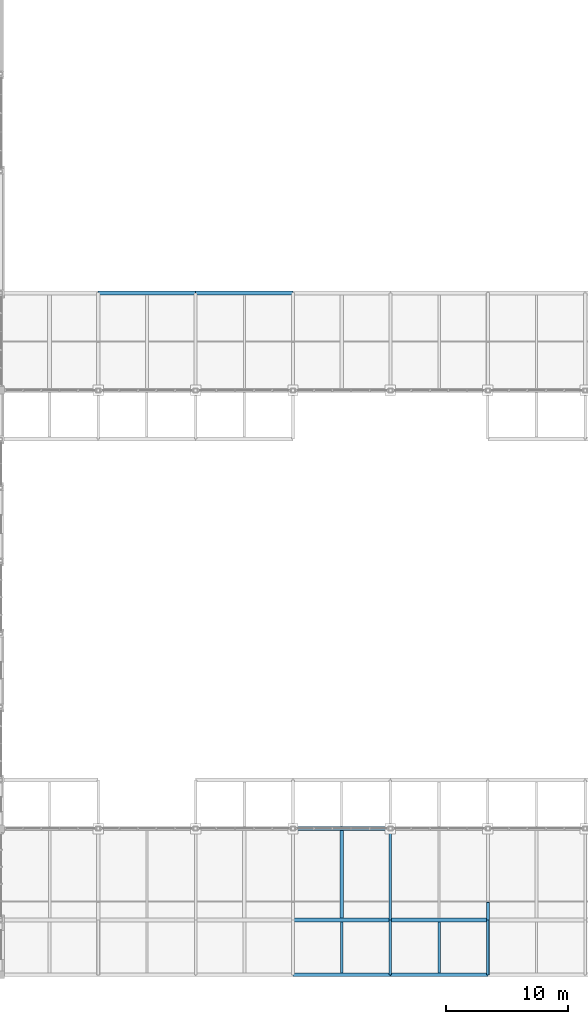
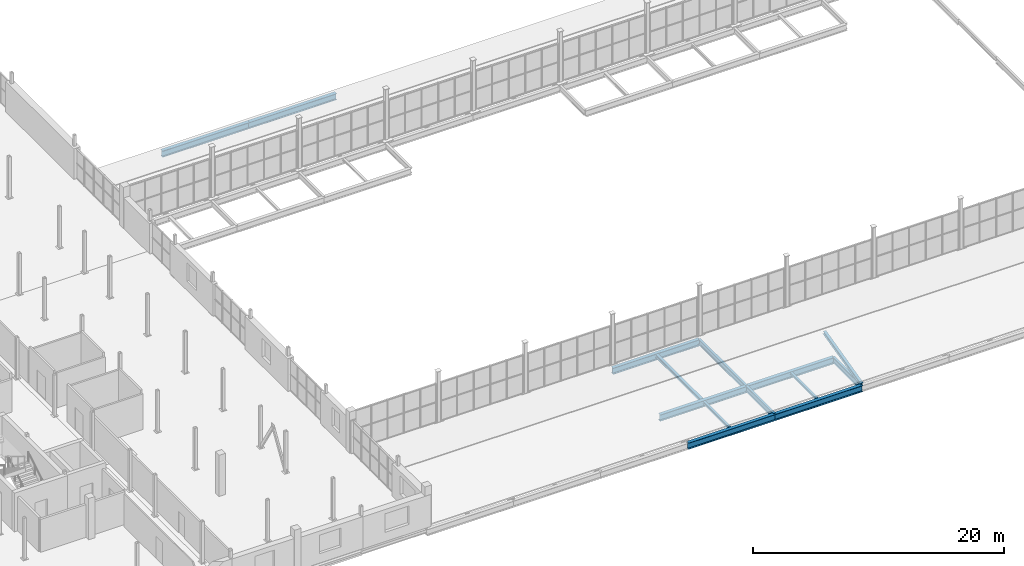
# One storey, part 37 of 96: 13 beams, 1 member.
"""IFC4 building model written with IfcOpenShell, lengths in metres."""

from ifc_helpers import new_model, si_unit, direction, frame, origin, origin_2d, place, context, subcontext, project, spatial, i_section, extrude, material, material_profile, profile_set, type_object, element, save


model = new_model("IFC4")

# Units and contexts
model_context = context("Model", 3, precision=1e-05, world=origin(), true_north=direction((0.0, 1.0)))
body_context = subcontext(model_context, "Body", "Model", "MODEL_VIEW")
ifc_project = project(units=[si_unit("LENGTHUNIT", "METRE"), si_unit("AREAUNIT", "SQUARE_METRE"), si_unit("VOLUMEUNIT", "CUBIC_METRE"), si_unit("PLANEANGLEUNIT", "RADIAN"), si_unit("MASSUNIT", "GRAM", prefix="KILO")], contexts=[model_context])

# Site, building, storey
site_placement = place(None, origin())
site = spatial("IfcSite", under=ifc_project, at=site_placement, CompositionType="ELEMENT")
building_placement = place(site_placement, origin())
building = spatial("IfcBuilding", under=site, at=building_placement, Name="Verrall Gate Interchange", CompositionType="ELEMENT")
storey_placement = place(building_placement, frame((0.0, 0.0, 11.39990234375)))
storey = spatial("IfcBuildingStorey", under=building, at=storey_placement, Name="L03", CompositionType="ELEMENT", Elevation=11.39990234375)

# Beams
ifc_material_1 = material(Name="Structural Steel CSA G40.21 350WT Cat 4", Category="steel")
ifc_material_profile_1 = material_profile(ifc_material_1, i_section(OverallWidth=0.323974609375, OverallDepth=0.611083984375, WebThickness=0.0126953125, FlangeThickness=0.01904296875, FilletRadius=0.014892578125, at=origin_2d()), Name="W610x155")
ifc_profile_set_1 = profile_set([ifc_material_profile_1], Name="Structural Steel CSA G40.21 350WT Cat 4")
beam_type_1 = type_object("IfcBeamType", Name="B-08 Structural Beam W610x155", PredefinedType="BEAM", material=ifc_profile_set_1)
for number, where, z_axis, x_axis, name in (
    (1, (60.0, 0.0, -0.635498046875), (1.0, 0.0, 0.0), (0.0, 1.0, 0.0), "L03 Girder BM-L03-1984 (B-08)"),
    (2, (68.0, 0.0, -0.635498046875), (1.0, 0.0, 0.0), (0.0, 1.0, 0.0), "L03 Girder BM-L03-1985 (B-08)"),
    (3, (60.0, 4.5, -0.635498046875), (1.0, 0.0, 0.0), (0.0, 1.0, 0.0), "L03 Girder BM-L03-2000 (B-08)"),
    (4, (68.0, 4.5, -0.635498046875), (1.0, 0.0, 0.0), (0.0, 1.0, 0.0), "L03 Girder BM-L03-2001 (B-08)"),
    (5, (60.0, 12.0, -0.635498046875), (1.0, 0.0, 0.0), (0.0, 1.0, 0.0), "L03 Girder BM-L03-2015 (B-08)"),
    (6, (44.0, 56.0, -0.635498046875), (1.0, 0.0, 0.0), (0.0, 1.0, 0.0), "L03 Girder BM-L03-2133 (B-08)"),
    (7, (52.0, 56.0, -0.635498046875), (1.0, 0.0, 0.0), (0.0, 1.0, 0.0), "L03 Girder BM-L03-2134 (B-08)"),
):
    element("IfcBeam", number, at=place(storey_placement, frame(where, z_axis=z_axis, x_axis=x_axis)), inside=storey, type_object=beam_type_1, Name=name, PredefinedType="BEAM", context=body_context, shape_type="SweptSolid", body=[
        extrude(i_section(OverallWidth=0.323974609375, OverallDepth=0.611083984375, WebThickness=0.0126953125, FlangeThickness=0.01904296875, FilletRadius=0.014892578125, at=origin_2d()), origin(), (0.0, 0.0, 1.0), 8.0),
    ])
ifc_material_2 = material(Name="Structural Steel CSA G40.21 350W", Category="steel")
ifc_material_profile_2 = material_profile(ifc_material_2, i_section(OverallWidth=0.2109375, OverallDepth=0.5390625, WebThickness=0.01171875, FlangeThickness=0.018798828125, FilletRadius=0.013916015625, at=origin_2d()), Name="W530x109")
ifc_profile_set_2 = profile_set([ifc_material_profile_2], Name="Structural Steel CSA G40.21 350W")
beam_type_2 = type_object("IfcBeamType", Name="B-10 Structural Beam W530x109", PredefinedType="BEAM", material=ifc_profile_set_2)
beam_1_placement = place(storey_placement, frame((68.0, 0.0, -0.599365234375), z_axis=(0.0, 1.0, 0.0), x_axis=(-1.0, 0.0, 0.0)))
element("IfcBeam", 8, at=beam_1_placement, inside=storey, type_object=beam_type_2, Name="L03 Girder BM-L03-2287 (B-10)", PredefinedType="BEAM", context=body_context, shape_type="SweptSolid", body=[
    extrude(i_section(OverallWidth=0.2109375, OverallDepth=0.5390625, WebThickness=0.01171875, FlangeThickness=0.018798828125, FilletRadius=0.013916015625, at=origin_2d()), origin(), (0.0, 0.0, 1.0), 4.5),
])
beam_2_placement = place(storey_placement, frame((68.0, 4.5, -0.599365234375), z_axis=(0.0, 1.0, 0.0), x_axis=(-1.0, 0.0, 0.0)))
element("IfcBeam", 9, at=beam_2_placement, inside=storey, type_object=beam_type_2, Name="L03 Girder BM-L03-2288 (B-10)", PredefinedType="BEAM", context=body_context, shape_type="SweptSolid", body=[
    extrude(i_section(OverallWidth=0.2109375, OverallDepth=0.5390625, WebThickness=0.01171875, FlangeThickness=0.018798828125, FilletRadius=0.013916015625, at=origin_2d()), origin(), (0.0, 0.0, 1.0), 7.5),
])
beam_3_placement = place(storey_placement, frame((76.0, 0.0, -0.599365234375), z_axis=(0.0, 1.0, 0.0), x_axis=(-1.0, 0.0, 0.0)))
element("IfcBeam", 10, at=beam_3_placement, inside=storey, type_object=beam_type_2, Name="L03 Girder BM-L03-2291 (B-10)", PredefinedType="BEAM", context=body_context, shape_type="SweptSolid", body=[
    extrude(i_section(OverallWidth=0.2109375, OverallDepth=0.5390625, WebThickness=0.01171875, FlangeThickness=0.018798828125, FilletRadius=0.013916015625, at=origin_2d()), origin(), (0.0, 0.0, 1.0), 4.5),
])
ifc_material_3 = material(Name="Structural Steel CSA G40.21 350W", Category="steel")
ifc_material_profile_3 = material_profile(ifc_material_3, i_section(OverallWidth=0.25390625, OverallDepth=0.305908203125, WebThickness=0.0087890625, FlangeThickness=0.0146484375, FilletRadius=0.012939453125, at=origin_2d()), Name="W310x79")
ifc_profile_set_3 = profile_set([ifc_material_profile_3], Name="Structural Steel CSA G40.21 350W")
beam_type_3 = type_object("IfcBeamType", Name="J-03 Floor Joist W310x79", PredefinedType="JOIST", material=ifc_profile_set_3)
beam_4_placement = place(storey_placement, frame((64.0, 4.662109375, -0.48291015625), z_axis=(0.0, 1.0, 0.0), x_axis=(-1.0, 0.0, 0.0)))
element("IfcBeam", 11, at=beam_4_placement, inside=storey, type_object=beam_type_3, Name="L03 Secondary Floor Joist JST-L03-2401", PredefinedType="JOIST", context=body_context, shape_type="SweptSolid", body=[
    extrude(i_section(OverallWidth=0.25390625, OverallDepth=0.305908203125, WebThickness=0.0087890625, FlangeThickness=0.0146484375, FilletRadius=0.012939453125, at=origin_2d()), origin(), (0.0, 0.0, 1.0), 7.17578125),
])
ifc_material_4 = material(Name="Structural Steel CSA G40.21 350W", Category="steel")
ifc_material_profile_4 = material_profile(ifc_material_4, i_section(OverallWidth=0.201904296875, OverallDepth=0.2470703125, WebThickness=0.00732421875, FlangeThickness=0.010986328125, FilletRadius=0.010986328125, at=origin_2d()), Name="W250x49")
ifc_profile_set_4 = profile_set([ifc_material_profile_4], Name="Structural Steel CSA G40.21 350W")
beam_type_4 = type_object("IfcBeamType", Name="J-06 Floor Joist W250x49", PredefinedType="JOIST", material=ifc_profile_set_4)
beam_5_placement = place(storey_placement, frame((64.0, 0.162109375, -0.453369140625), z_axis=(0.0, 1.0, 0.0), x_axis=(-1.0, 0.0, 0.0)))
element("IfcBeam", 12, at=beam_5_placement, inside=storey, type_object=beam_type_4, Name="L03 Secondary Floor Joist JST-L03-2387", PredefinedType="JOIST", context=body_context, shape_type="SweptSolid", body=[
    extrude(i_section(OverallWidth=0.201904296875, OverallDepth=0.2470703125, WebThickness=0.00732421875, FlangeThickness=0.010986328125, FilletRadius=0.010986328125, at=origin_2d()), origin(), (0.0, 0.0, 1.0), 4.17578125),
])
ifc_material_5 = material(Name="Structural Steel CSA G40.21 350W", Category="steel")
ifc_material_profile_5 = material_profile(ifc_material_5, i_section(OverallWidth=0.202880859375, OverallDepth=0.202880859375, WebThickness=0.007080078125, FlangeThickness=0.010986328125, FilletRadius=0.010009765625, at=origin_2d()), Name="W200x46")
ifc_profile_set_5 = profile_set([ifc_material_profile_5], Name="Structural Steel CSA G40.21 350W")
beam_type_5 = type_object("IfcBeamType", Name="J-07 Floor Joist W200x46", PredefinedType="JOIST", material=ifc_profile_set_5)
beam_6_placement = place(storey_placement, frame((72.0, 0.162109375, -0.431396484375), z_axis=(0.0, 1.0, 0.0), x_axis=(-1.0, 0.0, 0.0)))
element("IfcBeam", 13, at=beam_6_placement, inside=storey, type_object=beam_type_5, Name="L03 Secondary Floor Joist JST-L03-2388", PredefinedType="JOIST", context=body_context, shape_type="SweptSolid", body=[
    extrude(i_section(OverallWidth=0.202880859375, OverallDepth=0.202880859375, WebThickness=0.007080078125, FlangeThickness=0.010986328125, FilletRadius=0.010009765625, at=origin_2d()), origin(), (0.0, 0.0, 1.0), 4.17578125),
])

# Member
ifc_material_6 = material(Name="Structural Steel CSA G40.21 350WT Cat 4", Category="steel")
ifc_material_profile_6 = material_profile(ifc_material_6, i_section(OverallWidth=0.25390625, OverallDepth=0.305908203125, WebThickness=0.0087890625, FlangeThickness=0.0146484375, FilletRadius=0.012939453125, at=origin_2d()), Name="W310x79")
ifc_profile_set_6 = profile_set([ifc_material_profile_6], Name="Structural Steel CSA G40.21 350WT Cat 4")
member_type = type_object("IfcMemberType", Name="RF-03 Folded Roof Rafter W310x79", PredefinedType="RAFTER", material=ifc_profile_set_6)
member_placement = place(storey_placement, frame((76.0, 0.0, -0.31982421875), z_axis=(0.0, 0.970524816174, 0.241001205786), x_axis=(-1.0, 0.0, 0.0)))
element("IfcMember", 14, at=member_placement, inside=storey, type_object=member_type, Name="Portico Roof Rafter S 76", PredefinedType="RAFTER", context=body_context, shape_type="SweptSolid", body=[
    extrude(i_section(OverallWidth=0.25390625, OverallDepth=0.305908203125, WebThickness=0.0087890625, FlangeThickness=0.0146484375, FilletRadius=0.012939453125, at=origin_2d()), origin(), (0.0, 0.0, 1.0), 6.140869140625),
])

save(model, "model.ifc")
